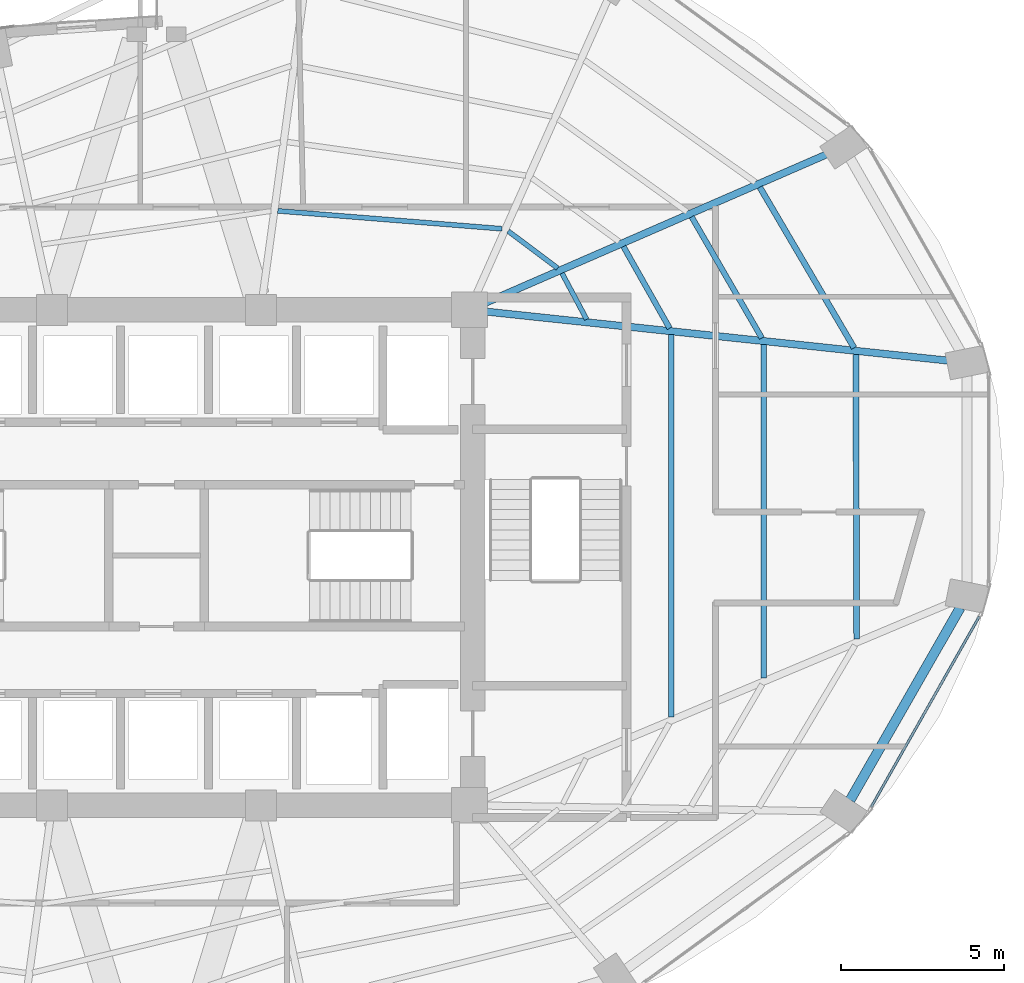
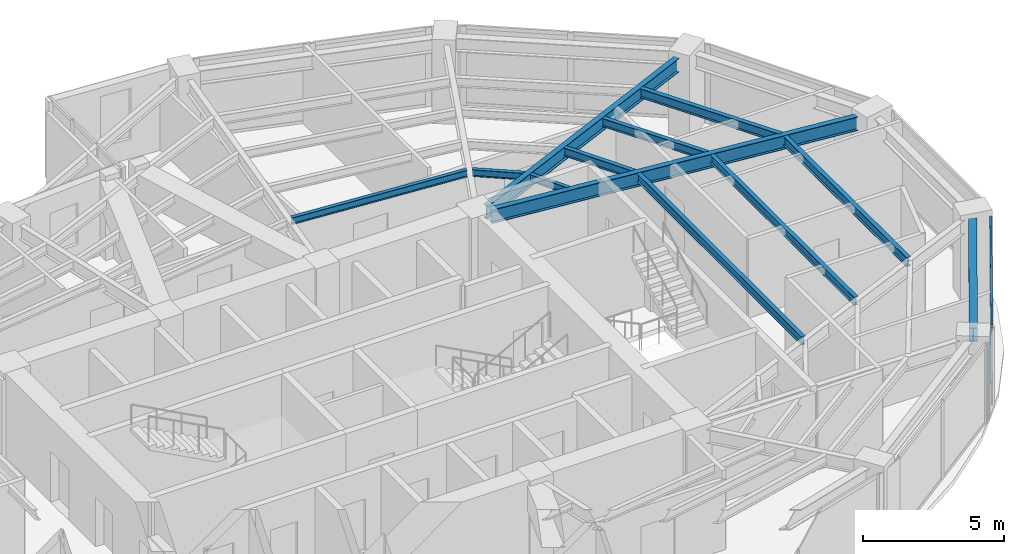
# One storey, part 12 of 24: 12 beams, 2 members, 1 element without a shape of its own.
"""IFC4 building model written with IfcOpenShell, lengths in metres."""

from ifc_helpers import new_model, si_unit, direction, frame, origin, origin_2d, place, context, subcontext, project, spatial, hollow_rectangle, i_section, extrude, material, layer, layer_set, material_profile, profile_set, type_object, element, aggregate, save


model = new_model("IFC4")

# Units and contexts
model_context = context("Model", 3, precision=1e-05, world=origin(), true_north=direction((0.0, 1.0)))
body_context = subcontext(model_context, "Body", "Model", "MODEL_VIEW")
ifc_project = project(units=[si_unit("LENGTHUNIT", "METRE"), si_unit("AREAUNIT", "SQUARE_METRE"), si_unit("VOLUMEUNIT", "CUBIC_METRE"), si_unit("PLANEANGLEUNIT", "RADIAN"), si_unit("MASSUNIT", "GRAM", prefix="KILO")], contexts=[model_context])

# Site, building, storey
site_placement = place(None, origin())
site = spatial("IfcSite", under=ifc_project, at=site_placement, CompositionType="ELEMENT")
building_placement = place(site_placement, origin())
building = spatial("IfcBuilding", under=site, at=building_placement, Name="Lazwardi Medical Tower", CompositionType="ELEMENT")
storey_placement = place(building_placement, frame((0.0, 0.0, 103.632080078125)))
storey = spatial("IfcBuildingStorey", under=building, at=storey_placement, Name="L26", CompositionType="ELEMENT", Elevation=103.632080078125)

# Beams
ifc_material_1 = material(Name="Steel S355", Category="steel")
ifc_material_profile_1 = material_profile(ifc_material_1, i_section(OverallWidth=0.300048828125, OverallDepth=0.60009765625, WebThickness=0.015380859375, FlangeThickness=0.030029296875, at=origin_2d()), Name="HEB 600")
ifc_profile_set_1 = profile_set([ifc_material_profile_1], Name="Steel S355")
beam_type_1 = type_object("IfcBeamType", Name="BM-RB-Z2", PredefinedType="BEAM", material=ifc_profile_set_1)
beam_1_placement = place(storey_placement, frame((57.281494140625, 20.561279296875, 3.1279296875), z_axis=(0.496653025517, 0.867949176072, 0.0), x_axis=(-0.867949176072, 0.496653025517, 0.0)))
element("IfcBeam", 1, at=beam_1_placement, inside=storey, type_object=beam_type_1, Name="Ring beam RB-03 B03 L26", PredefinedType="BEAM", context=body_context, shape_type="SweptSolid", body=[
    extrude(i_section(OverallWidth=0.300048828125, OverallDepth=0.60009765625, WebThickness=0.015380859375, FlangeThickness=0.030029296875, at=origin_2d()), origin(), (0.0, 0.0, 1.0), 6.80078125),
])
ifc_material_profile_2 = material_profile(ifc_material_1, i_section(OverallWidth=0.219970703125, OverallDepth=0.60009765625, WebThickness=0.011962890625, FlangeThickness=0.01904296875, at=origin_2d()), Name="IPE 600")
ifc_profile_set_2 = profile_set([ifc_material_profile_2], Name="Steel S355")
beam_type_2 = type_object("IfcBeamType", Name="BM-RG-W1", PredefinedType="BEAM", material=ifc_profile_set_2)
beam_2_placement = place(storey_placement, frame((60.2861328125, 34.041015625, 3.1279296875), z_axis=(-0.994413340753, 0.10555618282, 0.0), x_axis=(-0.10555618282, -0.994413340753, 0.0)))
element("IfcBeam", 2, at=beam_2_placement, inside=storey, type_object=beam_type_2, Name="Radial girder RG-02 R05 L26", PredefinedType="BEAM", context=body_context, shape_type="SweptSolid", body=[
    extrude(i_section(OverallWidth=0.219970703125, OverallDepth=0.60009765625, WebThickness=0.011962890625, FlangeThickness=0.01904296875, at=origin_2d()), origin(), (0.0, 0.0, 1.0), 14.233642578125),
])
beam_3_placement = place(storey_placement, frame((56.5458984375, 40.36328125, 3.1279296875), z_axis=(-0.916941336121, -0.399022037127, 0.0), x_axis=(0.399022037127, -0.916941336121, 0.0)))
element("IfcBeam", 3, at=beam_3_placement, inside=storey, type_object=beam_type_2, Name="Radial girder RG-02 R06 L26", PredefinedType="BEAM", context=body_context, shape_type="SweptSolid", body=[
    extrude(i_section(OverallWidth=0.219970703125, OverallDepth=0.60009765625, WebThickness=0.011962890625, FlangeThickness=0.01904296875, at=origin_2d()), origin(), (0.0, 0.0, 1.0), 11.40234375),
])
ifc_material_profile_3 = material_profile(ifc_material_1, i_section(OverallWidth=0.179931640625, OverallDepth=0.39990234375, WebThickness=0.008544921875, FlangeThickness=0.013427734375, at=origin_2d()), Name="IPE 400")
ifc_profile_set_3 = profile_set([ifc_material_profile_3], Name="Steel S355")
beam_type_3 = type_object("IfcBeamType", Name="BM-SJ-01", PredefinedType="JOIST", material=ifc_profile_set_3)
beam_4_placement = place(storey_placement, frame((57.48095703125, 25.502685546875, 3.22802734375), z_axis=(-0.002907126978, 0.999995774297, 0.0), x_axis=(-0.999995774297, -0.002907126978, 0.0)))
element("IfcBeam", 4, at=beam_4_placement, inside=storey, type_object=beam_type_3, Name="Secondary joist SJ-01 R1 B04 L26", PredefinedType="JOIST", context=body_context, shape_type="SweptSolid", body=[
    extrude(i_section(OverallWidth=0.179931640625, OverallDepth=0.39990234375, WebThickness=0.008544921875, FlangeThickness=0.013427734375, at=origin_2d()), origin(), (0.0, 0.0, 1.0), 8.73388671875),
])
beam_5_placement = place(storey_placement, frame((57.402099609375, 34.43212890625, 3.22802734375), z_axis=(-0.506195045201, 0.862419025888, 0.0), x_axis=(-0.862419025888, -0.506195045201, 0.0)))
element("IfcBeam", 5, at=beam_5_placement, inside=storey, type_object=beam_type_3, Name="Secondary joist SJ-01 R1 B05 L26", PredefinedType="JOIST", context=body_context, shape_type="SweptSolid", body=[
    extrude(i_section(OverallWidth=0.179931640625, OverallDepth=0.39990234375, WebThickness=0.008544921875, FlangeThickness=0.013427734375, at=origin_2d()), origin(), (0.0, 0.0, 1.0), 5.71728515625),
])
ifc_material_profile_4 = material_profile(ifc_material_1, i_section(OverallWidth=0.169921875, OverallDepth=0.360107421875, WebThickness=0.008056640625, FlangeThickness=0.0126953125, at=origin_2d()), Name="IPE 360")
ifc_profile_set_4 = profile_set([ifc_material_profile_4], Name="Steel S355")
beam_type_4 = type_object("IfcBeamType", Name="BM-SJ-02", PredefinedType="JOIST", material=ifc_profile_set_4)
beam_6_placement = place(storey_placement, frame((54.634033203125, 24.30517578125, 3.247802734375), z_axis=(-0.000930565095, 0.999999567024, 0.0), x_axis=(-0.999999567024, -0.000930565095, 0.0)))
element("IfcBeam", 6, at=beam_6_placement, inside=storey, type_object=beam_type_4, Name="Secondary joist SJ-02 R2 B04 L26", PredefinedType="JOIST", context=body_context, shape_type="SweptSolid", body=[
    extrude(i_section(OverallWidth=0.169921875, OverallDepth=0.360107421875, WebThickness=0.008056640625, FlangeThickness=0.0126953125, at=origin_2d()), origin(), (0.0, 0.0, 1.0), 10.23193359375),
])
beam_7_placement = place(storey_placement, frame((54.57177734375, 34.73291015625, 3.247802734375), z_axis=(-0.501365325212, 0.865235696602, 0.0), x_axis=(-0.865235696602, -0.501365325212, 0.0)))
element("IfcBeam", 7, at=beam_7_placement, inside=storey, type_object=beam_type_4, Name="Secondary joist SJ-02 R2 B05 L26", PredefinedType="JOIST", context=body_context, shape_type="SweptSolid", body=[
    extrude(i_section(OverallWidth=0.169921875, OverallDepth=0.360107421875, WebThickness=0.008056640625, FlangeThickness=0.0126953125, at=origin_2d()), origin(), (0.0, 0.0, 1.0), 4.298828125),
])
beam_8_placement = place(storey_placement, frame((51.787109375, 23.107421875, 3.247802734375), z_axis=(0.000561961365, 0.9999998421, 0.0), x_axis=(-0.9999998421, 0.000561961365, 0.0)))
element("IfcBeam", 8, at=beam_8_placement, inside=storey, type_object=beam_type_4, Name="Secondary joist SJ-02 R3 B04 L26", PredefinedType="JOIST", context=body_context, shape_type="SweptSolid", body=[
    extrude(i_section(OverallWidth=0.169921875, OverallDepth=0.360107421875, WebThickness=0.008056640625, FlangeThickness=0.0126953125, at=origin_2d()), origin(), (0.0, 0.0, 1.0), 11.72998046875),
])
beam_9_placement = place(storey_placement, frame((51.741943359375, 35.033935546875, 3.247802734375), z_axis=(-0.492026539517, 0.870580199873, 0.0), x_axis=(-0.870580199873, -0.492026539517, 0.0)))
element("IfcBeam", 9, at=beam_9_placement, inside=storey, type_object=beam_type_4, Name="Secondary joist SJ-02 R3 B05 L26", PredefinedType="JOIST", context=body_context, shape_type="SweptSolid", body=[
    extrude(i_section(OverallWidth=0.169921875, OverallDepth=0.360107421875, WebThickness=0.008056640625, FlangeThickness=0.0126953125, at=origin_2d()), origin(), (0.0, 0.0, 1.0), 2.880859375),
])
ifc_material_profile_5 = material_profile(ifc_material_1, i_section(OverallWidth=0.14990234375, OverallDepth=0.300048828125, WebThickness=0.007080078125, FlangeThickness=0.0107421875, at=origin_2d()), Name="IPE 300")
ifc_profile_set_5 = profile_set([ifc_material_profile_5], Name="Steel S355")
beam_type_5 = type_object("IfcBeamType", Name="BM-SJ-03", PredefinedType="JOIST", material=ifc_profile_set_5)
beam_10_placement = place(storey_placement, frame((49.1962890625, 35.3056640625, 3.27783203125), z_axis=(-0.471022344925, 0.882121278839, 0.0), x_axis=(-0.882121278839, -0.471022344925, 0.0)))
element("IfcBeam", 10, at=beam_10_placement, inside=storey, type_object=beam_type_5, Name="Secondary joist SJ-03 R4 B05 L26", PredefinedType="JOIST", context=body_context, shape_type="SweptSolid", body=[
    extrude(i_section(OverallWidth=0.14990234375, OverallDepth=0.300048828125, WebThickness=0.007080078125, FlangeThickness=0.0107421875, at=origin_2d()), origin(), (0.0, 0.0, 1.0), 1.605224609375),
])
beam_11_placement = place(storey_placement, frame((48.306640625, 36.87744140625, 3.27783203125), z_axis=(-0.800447687995, 0.599402618265, 0.0), x_axis=(-0.599402618265, -0.800447687995, 0.0)))
element("IfcBeam", 11, at=beam_11_placement, inside=storey, type_object=beam_type_5, Name="Secondary joist SJ-03 R4 B06 L26", PredefinedType="JOIST", context=body_context, shape_type="SweptSolid", body=[
    extrude(i_section(OverallWidth=0.14990234375, OverallDepth=0.300048828125, WebThickness=0.007080078125, FlangeThickness=0.0107421875, at=origin_2d()), origin(), (0.0, 0.0, 1.0), 1.896728515625),
])
beam_12_placement = place(storey_placement, frame((46.599609375, 38.085693359375, 3.27783203125), z_axis=(-0.996816178299, 0.079733974445, 0.0), x_axis=(-0.079733974445, -0.996816178299, 0.0)))
element("IfcBeam", 12, at=beam_12_placement, inside=storey, type_object=beam_type_5, Name="Secondary joist SJ-03 R4 B07 L26", PredefinedType="JOIST", context=body_context, shape_type="SweptSolid", body=[
    extrude(i_section(OverallWidth=0.14990234375, OverallDepth=0.300048828125, WebThickness=0.007080078125, FlangeThickness=0.0107421875, at=origin_2d()), origin(), (0.0, 0.0, 1.0), 6.901611328125),
])

# Curtain wall, members
ifc_material_2 = material(Name="Anodised bronze aluminium and solar control glazing", Category="aluminium")
ifc_layer = layer(ifc_material_2, 0.195068359375)
ifc_layer_set = layer_set([ifc_layer], Name="Anodised bronze aluminium and solar control glazing")
curtain_wall_type = type_object("IfcCurtainWallType", Name="CW-SYS-03", PredefinedType="NOTDEFINED", material=ifc_layer_set)
curtain_wall_placement = place(storey_placement, origin())
curtain_wall = element("IfcCurtainWall", 13, at=curtain_wall_placement, inside=storey, type_object=curtain_wall_type, Name="L26 Unitised bronze curtain wall CW-03", PredefinedType="NOTDEFINED")
ifc_material_3 = material(Name="Anodised bronze aluminium", Category="aluminium")
ifc_material_profile_6 = material_profile(ifc_material_3, hollow_rectangle(XDim=0.074951171875, YDim=0.159912109375, WallThickness=0.00390625, at=origin_2d()), Name="ALU-TRANSOM 160x75x4")
ifc_profile_set_6 = profile_set([ifc_material_profile_6], Name="Anodised bronze aluminium")
member_type = type_object("IfcMemberType", Name="CW-TRN-01", PredefinedType="USERDEFINED", material=ifc_profile_set_6)
member_1_placement = place(storey_placement, frame((57.925537109375, 20.3466796875, 0.037353515625), z_axis=(0.493614427365, 0.869680859337, 0.0), x_axis=(-0.869680859337, 0.493614427365, 0.0)))
member_1 = element("IfcMember", 14, at=member_1_placement, type_object=member_type, Name="CW-03 transom 1.1", ObjectType="TRANSOM", PredefinedType="USERDEFINED", context=body_context, shape_type="SweptSolid", body=[
    extrude(hollow_rectangle(XDim=0.074951171875, YDim=0.159912109375, WallThickness=0.00390625, at=origin_2d()), origin(), (0.0, 0.0, 1.0), 6.72314453125),
])
member_2_placement = place(storey_placement, frame((57.925537109375, 20.3466796875, 3.390380859375), z_axis=(0.493614427365, 0.869680859337, 0.0), x_axis=(-0.869680859337, 0.493614427365, 0.0)))
member_2 = element("IfcMember", 15, at=member_2_placement, type_object=member_type, Name="CW-03 transom 1.2", ObjectType="TRANSOM", PredefinedType="USERDEFINED", context=body_context, shape_type="SweptSolid", body=[
    extrude(hollow_rectangle(XDim=0.074951171875, YDim=0.159912109375, WallThickness=0.00390625, at=origin_2d()), origin(), (0.0, 0.0, 1.0), 6.72314453125),
])
aggregate(curtain_wall, [member_1, member_2])

save(model, "model.ifc")
